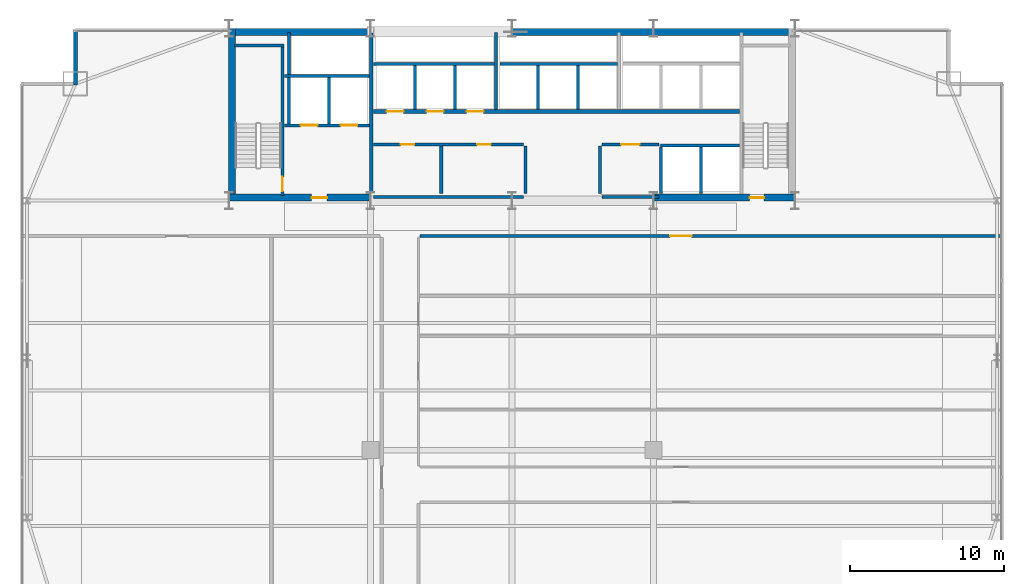
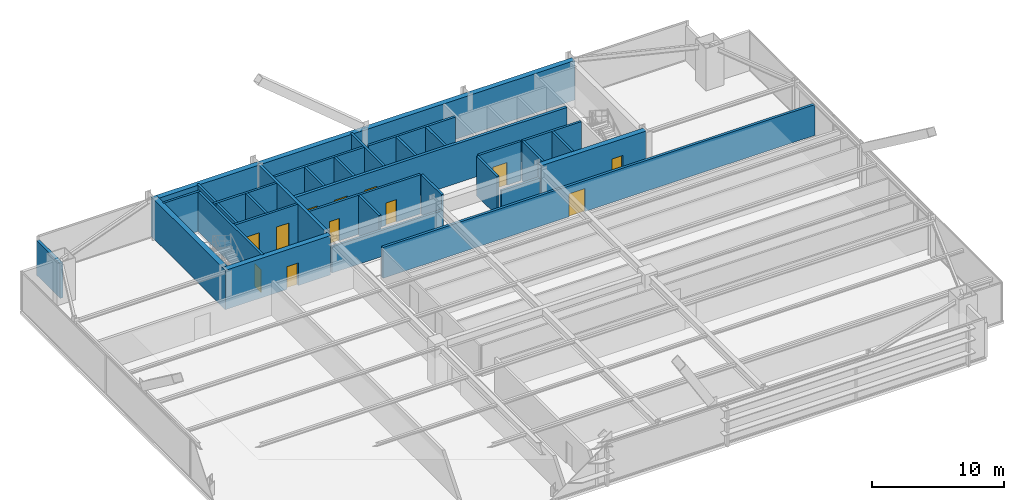
# One storey, part 32 of 35: 31 walls, 12 doors, 12 openings.
"""IFC4 building model written with IfcOpenShell, lengths in metres."""

from ifc_helpers import new_model, si_unit, direction, frame, frame_2d, origin, place, context, subcontext, project, spatial, rectangle, extrude, source, transform, mapped, material, layer, layer_set, type_object, type_shapes, element, fill, save


model = new_model("IFC4")

# Units and contexts
model_context = context("Model", 3, precision=1e-05, world=origin(), true_north=direction((0.0, 1.0)))
body_context = subcontext(model_context, "Body", "Model", "MODEL_VIEW")
ifc_project = project(units=[si_unit("LENGTHUNIT", "METRE"), si_unit("AREAUNIT", "SQUARE_METRE"), si_unit("VOLUMEUNIT", "CUBIC_METRE"), si_unit("PLANEANGLEUNIT", "RADIAN"), si_unit("MASSUNIT", "GRAM", prefix="KILO")], contexts=[model_context])

# Site, building, storey
site_placement = place(None, origin())
site = spatial("IfcSite", under=ifc_project, at=site_placement, CompositionType="ELEMENT")
building_placement = place(site_placement, origin())
building = spatial("IfcBuilding", under=site, at=building_placement, Name="Varnel Quay Broadcast Tower", CompositionType="ELEMENT")
storey_placement = place(building_placement, frame((0.0, 0.0, 31.5)))
storey = spatial("IfcBuildingStorey", under=building, at=storey_placement, Name="L06", CompositionType="ELEMENT", Elevation=31.5)

# Wall, opening, door
ifc_material_1 = material(Name="Concrete CSA A23.3 C50/60", Category="concrete")
ifc_layer_1 = layer(ifc_material_1, 0.199951171875, Name="Concrete CSA A23.3 C50/60")
ifc_layer_set_1 = layer_set([ifc_layer_1], Name="Concrete CSA A23.3 C50/60")
wall_type_1 = type_object("IfcWallType", Name="Wall_CoreShaftShear200", PredefinedType="SHEAR", material=ifc_layer_set_1)
wall_1_placement = place(storey_placement, frame((19.080078125, 35.949951171875, 0.0), z_axis=(0.0, 0.0, 1.0), x_axis=(0.0, 1.0, 0.0)))
wall_1 = element("IfcWall", 1, at=wall_1_placement, inside=storey, type_object=wall_type_1, Name="L06 Stair 1 East Structural Wall", PredefinedType="SHEAR", context=body_context, shape_type="SweptSolid", body=[
    extrude(rectangle(XDim=9.650146484375, YDim=0.199951171875, at=frame_2d((4.8251953125, 0.0))), origin(), (0.0, 0.0, 1.0), 3.64990234375),
])
opening_1_placement = place(wall_1_placement, frame((0.25, 0.0, 0.0)))
opening_1 = element("IfcOpeningElement", 2, at=opening_1_placement, cuts=wall_1, Name="Opening D-L06-S1", PredefinedType="OPENING", context=body_context, shape_type="SweptSolid", body=[
    extrude(rectangle(XDim=0.949951171875, YDim=2.10009765625, at=frame_2d((0.47509765625, 1.050048828125))), frame((0.0, 0.10986328125, 0.0), z_axis=(0.0, -1.0, 0.0), x_axis=(1.0, 0.0, 0.0)), (0.0, 0.0, 1.0), 0.219970703125),
])
ifc_material_2 = material(Name="Insulated Fire-Rated Hollow Steel Door", Category="steel")
door_type_1 = type_object("IfcDoorType", Name="Door_FireStair950", OperationType="NOTDEFINED", PredefinedType="DOOR", material=ifc_material_2)
shared_shape_1 = source(origin(), body_context, "Body", "SweptSolid", [
    extrude(rectangle(XDim=0.949951171875, YDim=2.10009765625, at=frame_2d((0.47509765625, 1.050048828125))), frame((0.0, 0.02490234375, 0.0), z_axis=(0.0, -1.0, 0.0), x_axis=(1.0, 0.0, 0.0)), (0.0, 0.0, 1.0), 0.050048828125),
])
type_shapes(door_type_1, [shared_shape_1])
door_1_placement = place(opening_1_placement, origin())
door_1 = element("IfcDoor", 3, at=door_1_placement, inside=storey, type_object=door_type_1, Name="L06 Stair 1 Fire Door", OperationType="SINGLE_SWING_RIGHT", OverallHeight=2.10009765625, OverallWidth=0.949951171875, PredefinedType="DOOR", context=body_context, shape_type="MappedRepresentation", body=[
    mapped(shared_shape_1, transform((0.0, 0.0, 0.0), x_axis=(1.0, 0.0, 0.0), y_axis=(0.0, 1.0, 0.0), z_axis=(0.0, 0.0, 1.0), scale=1.0)),
])
fill(opening_1, door_1)

# Wall
wall_2_placement = place(storey_placement, frame((15.949951171875, 45.679931640625, 0.0), z_axis=(0.0, 0.0, 1.0), x_axis=(1.0, 0.0, 0.0)))
element("IfcWall", 4, at=wall_2_placement, inside=storey, type_object=wall_type_1, Name="L06 Stair 1 North Structural Wall", PredefinedType="SHEAR", context=body_context, shape_type="SweptSolid", body=[
    extrude(rectangle(XDim=3.22998046875, YDim=0.199951171875, at=frame_2d((1.614990234375, 0.0))), origin(), (0.0, 0.0, 1.0), 3.64990234375),
])

# Wall, openings, doors
wall_3_placement = place(storey_placement, frame((19.199951171875, 40.5, 0.0), z_axis=(0.0, 0.0, 1.0), x_axis=(1.0, 0.0, 0.0)))
wall_3 = element("IfcWall", 5, at=wall_3_placement, inside=storey, type_object=wall_type_1, Name="L06 Firefighter Lift Shaft Front Wall", PredefinedType="SHEAR", context=body_context, shape_type="SweptSolid", body=[
    extrude(rectangle(XDim=5.52001953125, YDim=0.199951171875, at=frame_2d((2.760009765625, 0.0))), origin(), (0.0, 0.0, 1.0), 3.64990234375),
])
opening_2_placement = place(wall_3_placement, frame((1.050048828125, 0.0, 0.0)))
opening_2 = element("IfcOpeningElement", 6, at=opening_2_placement, cuts=wall_3, Name="Opening LD-L06-FE1", PredefinedType="OPENING", context=body_context, shape_type="SweptSolid", body=[
    extrude(rectangle(XDim=1.10009765625, YDim=2.179931640625, at=frame_2d((0.550048828125, 1.08984375))), frame((0.0, 0.10986328125, 0.0), z_axis=(0.0, -1.0, 0.0), x_axis=(1.0, 0.0, 0.0)), (0.0, 0.0, 1.0), 0.219970703125),
])
opening_3_placement = place(wall_3_placement, frame((3.64990234375, 0.0, 0.0)))
opening_3 = element("IfcOpeningElement", 7, at=opening_3_placement, cuts=wall_3, Name="Opening LD-L06-FE2", PredefinedType="OPENING", context=body_context, shape_type="SweptSolid", body=[
    extrude(rectangle(XDim=1.10009765625, YDim=2.179931640625, at=frame_2d((0.550048828125, 1.08984375))), frame((0.0, 0.10986328125, 0.0), z_axis=(0.0, -1.0, 0.0), x_axis=(1.0, 0.0, 0.0)), (0.0, 0.0, 1.0), 0.219970703125),
])
ifc_material_3 = material(Name="Brushed Bronze-Stainless Lift Car & Sliding Doors", Category="steel")
door_type_2 = type_object("IfcDoorType", Name="Door_LiftLanding1100", OperationType="SLIDING_TO_LEFT", PredefinedType="DOOR", material=ifc_material_3)
shared_shape_2 = source(origin(), body_context, "Body", "SweptSolid", [
    extrude(rectangle(XDim=1.10009765625, YDim=2.179931640625, at=frame_2d((0.550048828125, 1.08984375))), frame((0.0, 0.02490234375, 0.0), z_axis=(0.0, -1.0, 0.0), x_axis=(1.0, 0.0, 0.0)), (0.0, 0.0, 1.0), 0.050048828125),
])
type_shapes(door_type_2, [shared_shape_2])
door_2_placement = place(opening_2_placement, frame((1.10009765625, 0.0, 0.0), z_axis=(0.0, 0.0, 1.0), x_axis=(-1.0, 0.0, 0.0)))
door_2 = element("IfcDoor", 8, at=door_2_placement, inside=storey, type_object=door_type_2, Name="L06 Firefighter Lift FE-01 Landing Door", OperationType="SLIDING_TO_LEFT", OverallHeight=2.179931640625, OverallWidth=1.10009765625, PredefinedType="DOOR", context=body_context, shape_type="MappedRepresentation", body=[
    mapped(shared_shape_2, transform((0.0, 0.0, 0.0), x_axis=(1.0, 0.0, 0.0), y_axis=(0.0, 1.0, 0.0), z_axis=(0.0, 0.0, 1.0), scale=1.0)),
])
fill(opening_2, door_2)
door_3_placement = place(opening_3_placement, frame((1.10009765625, 0.0, 0.0), z_axis=(0.0, 0.0, 1.0), x_axis=(-1.0, 0.0, 0.0)))
door_3 = element("IfcDoor", 9, at=door_3_placement, inside=storey, type_object=door_type_2, Name="L06 Firefighter Lift FE-02 Landing Door", OperationType="SLIDING_TO_RIGHT", OverallHeight=2.179931640625, OverallWidth=1.10009765625, PredefinedType="DOOR", context=body_context, shape_type="MappedRepresentation", body=[
    mapped(shared_shape_2, transform((0.0, 0.0, 0.0), x_axis=(1.0, 0.0, 0.0), y_axis=(0.0, 1.0, 0.0), z_axis=(0.0, 0.0, 1.0), scale=1.0)),
])
fill(opening_3, door_3)

# Walls
wall_4_placement = place(storey_placement, frame((19.199951171875, 43.699951171875, 0.0), z_axis=(0.0, 0.0, 1.0), x_axis=(1.0, 0.0, 0.0)))
element("IfcWall", 10, at=wall_4_placement, inside=storey, type_object=wall_type_1, Name="L06 Firefighter Lift Shaft Rear Wall", PredefinedType="SHEAR", context=body_context, shape_type="SweptSolid", body=[
    extrude(rectangle(XDim=5.52001953125, YDim=0.199951171875, at=frame_2d((2.760009765625, 0.0))), origin(), (0.0, 0.0, 1.0), 3.64990234375),
])
wall_5_placement = place(storey_placement, frame((22.10009765625, 40.60009765625, 0.0), z_axis=(0.0, 0.0, 1.0), x_axis=(0.0, 1.0, 0.0)))
element("IfcWall", 11, at=wall_5_placement, inside=storey, type_object=wall_type_1, Name="L06 Firefighter Lift Shaft Divider", PredefinedType="SHEAR", context=body_context, shape_type="SweptSolid", body=[
    extrude(rectangle(XDim=3.0, YDim=0.199951171875, at=frame_2d((1.5, 0.0))), origin(), (0.0, 0.0, 1.0), 3.64990234375),
])
wall_6_placement = place(storey_placement, frame((19.5, 40.60009765625, 0.0), z_axis=(0.0, 0.0, 1.0), x_axis=(0.0, 1.0, 0.0)))
element("IfcWall", 12, at=wall_6_placement, inside=storey, type_object=wall_type_1, Name="L06 Firefighter Lift Shaft West Wall", PredefinedType="SHEAR", context=body_context, shape_type="SweptSolid", body=[
    extrude(rectangle(XDim=5.949951171875, YDim=0.199951171875, at=frame_2d((2.97509765625, 0.0))), origin(), (0.0, 0.0, 1.0), 3.64990234375),
])
wall_7_placement = place(storey_placement, frame((24.97998046875, 44.5, 0.0), z_axis=(0.0, 0.0, 1.0), x_axis=(1.0, 0.0, 0.0)))
element("IfcWall", 13, at=wall_7_placement, inside=storey, type_object=wall_type_1, Name="L06 Low-Rise Lift Shaft Rear Wall", PredefinedType="SHEAR", context=body_context, shape_type="SweptSolid", body=[
    extrude(rectangle(XDim=7.8701171875, YDim=0.199951171875, at=frame_2d((3.93505859375, 0.0))), origin(), (0.0, 0.0, 1.0), 3.64990234375),
])
for number, where, z_axis, x_axis, name in (
    (14, (27.699951171875, 41.530029296875, 0.0), (0.0, 0.0, 1.0), (0.0, 1.0, 0.0), "L06 Low-Rise Lift Shaft Divider 1"),
    (15, (30.300048828125, 41.530029296875, 0.0), (0.0, 0.0, 1.0), (0.0, 1.0, 0.0), "L06 Low-Rise Lift Shaft Divider 2"),
):
    element("IfcWall", number, at=place(storey_placement, frame(where, z_axis=z_axis, x_axis=x_axis)), inside=storey, type_object=wall_type_1, Name=name, PredefinedType="SHEAR", context=body_context, shape_type="SweptSolid", body=[
        extrude(rectangle(XDim=2.869873046875, YDim=0.199951171875, at=frame_2d((1.43505859375, 0.0))), origin(), (0.0, 0.0, 1.0), 3.64990234375),
    ])
wall_8_placement = place(storey_placement, frame((32.949951171875, 41.530029296875, 0.0), z_axis=(0.0, 0.0, 1.0), x_axis=(0.0, 1.0, 0.0)))
element("IfcWall", 16, at=wall_8_placement, inside=storey, type_object=wall_type_1, Name="L06 Low-Rise Lift Shaft Divider 3", PredefinedType="SHEAR", context=body_context, shape_type="SweptSolid", body=[
    extrude(rectangle(XDim=5.02001953125, YDim=0.199951171875, at=frame_2d((2.510009765625, 0.0))), origin(), (0.0, 0.0, 1.0), 3.64990234375),
])
wall_9_placement = place(storey_placement, frame((33.219970703125, 44.5, 0.0), z_axis=(0.0, 0.0, 1.0), x_axis=(1.0, 0.0, 0.0)))
element("IfcWall", 17, at=wall_9_placement, inside=storey, type_object=wall_type_1, Name="L06 Mid-Rise Lift Shaft Rear Wall", PredefinedType="SHEAR", context=body_context, shape_type="SweptSolid", body=[
    extrude(rectangle(XDim=7.630126953125, YDim=0.199951171875, at=frame_2d((3.81494140625, 0.0))), origin(), (0.0, 0.0, 1.0), 3.64990234375),
])
for number, where, z_axis, x_axis, name in (
    (18, (35.699951171875, 41.530029296875, 0.0), (0.0, 0.0, 1.0), (0.0, 1.0, 0.0), "L06 Mid-Rise Lift Shaft Divider 2"),
    (19, (38.300048828125, 41.530029296875, 0.0), (0.0, 0.0, 1.0), (0.0, 1.0, 0.0), "L06 Mid-Rise Lift Shaft Divider 3"),
):
    element("IfcWall", number, at=place(storey_placement, frame(where, z_axis=z_axis, x_axis=x_axis)), inside=storey, type_object=wall_type_1, Name=name, PredefinedType="SHEAR", context=body_context, shape_type="SweptSolid", body=[
        extrude(rectangle(XDim=2.869873046875, YDim=0.199951171875, at=frame_2d((1.43505859375, 0.0))), origin(), (0.0, 0.0, 1.0), 3.64990234375),
    ])
for number, where, z_axis, x_axis, name in (
    (20, (43.699951171875, 36.050048828125, 0.0), (0.0, 0.0, 1.0), (0.0, 1.0, 0.0), "L06 Express Lift Shaft West Wall"),
    (21, (46.300048828125, 36.050048828125, 0.0), (0.0, 0.0, 1.0), (0.0, 1.0, 0.0), "L06 Express Lift Shaft Divider"),
):
    element("IfcWall", number, at=place(storey_placement, frame(where, z_axis=z_axis, x_axis=x_axis)), inside=storey, type_object=wall_type_1, Name=name, PredefinedType="SHEAR", context=body_context, shape_type="SweptSolid", body=[
        extrude(rectangle(XDim=3.050048828125, YDim=0.199951171875, at=frame_2d((1.52490234375, 0.0))), origin(), (0.0, 0.0, 1.0), 3.64990234375),
    ])
wall_10_placement = place(storey_placement, frame((43.64990234375, 39.199951171875, 0.0), z_axis=(0.0, 0.0, 1.0), x_axis=(1.0, 0.0, 0.0)))
element("IfcWall", 22, at=wall_10_placement, inside=storey, type_object=wall_type_1, Name="L06 Express Lift Shaft North Front Wall", PredefinedType="SHEAR", context=body_context, shape_type="SweptSolid", body=[
    extrude(rectangle(XDim=5.150146484375, YDim=0.199951171875, at=frame_2d((2.5751953125, 0.0))), origin(), (0.0, 0.0, 1.0), 3.64990234375),
])
ifc_layer_2 = layer(ifc_material_1, 0.25, Name="Concrete CSA A23.3 C50/60")
ifc_layer_set_2 = layer_set([ifc_layer_2], Name="Concrete CSA A23.3 C50/60")
wall_type_2 = type_object("IfcWallType", Name="Wall_CoreShaftShear250", PredefinedType="SHEAR", material=ifc_layer_set_2)
wall_11_placement = place(storey_placement, frame((24.85009765625, 36.050048828125, 0.0), z_axis=(0.0, 0.0, 1.0), x_axis=(0.0, 1.0, 0.0)))
element("IfcWall", 23, at=wall_11_placement, inside=storey, type_object=wall_type_2, Name="L06 Firefighting Lobby East Structural Wall", PredefinedType="SHEAR", context=body_context, shape_type="SweptSolid", body=[
    extrude(rectangle(XDim=10.449951171875, YDim=0.25, at=frame_2d((5.22509765625, 0.0))), origin(), (0.0, 0.0, 1.0), 3.64990234375),
])

# Wall, openings, doors
wall_12_placement = place(storey_placement, frame((24.97998046875, 41.39990234375, 0.0), z_axis=(0.0, 0.0, 1.0), x_axis=(1.0, 0.0, 0.0)))
wall_12 = element("IfcWall", 24, at=wall_12_placement, inside=storey, type_object=wall_type_2, Name="L06 North Lift Bank & Reclaimed Suite Wall", PredefinedType="SHEAR", context=body_context, shape_type="SweptSolid", body=[
    extrude(rectangle(XDim=23.820068359375, YDim=0.25, at=frame_2d((11.91015625, 0.0))), origin(), (0.0, 0.0, 1.0), 3.64990234375),
])
opening_4_placement = place(wall_12_placement, frame((0.8701171875, 0.0, 0.0)))
opening_4 = element("IfcOpeningElement", 25, at=opening_4_placement, cuts=wall_12, Name="Opening LD-L06-PL-01", PredefinedType="OPENING", context=body_context, shape_type="SweptSolid", body=[
    extrude(rectangle(XDim=1.10009765625, YDim=2.179931640625, at=frame_2d((0.550048828125, 1.08984375))), frame((0.0, 0.135009765625, 0.0), z_axis=(0.0, -1.0, 0.0), x_axis=(1.0, 0.0, 0.0)), (0.0, 0.0, 1.0), 0.27001953125),
])
opening_5_placement = place(wall_12_placement, frame((3.469970703125, 0.0, 0.0)))
opening_5 = element("IfcOpeningElement", 26, at=opening_5_placement, cuts=wall_12, Name="Opening LD-L06-PL-02", PredefinedType="OPENING", context=body_context, shape_type="SweptSolid", body=[
    extrude(rectangle(XDim=1.10009765625, YDim=2.179931640625, at=frame_2d((0.550048828125, 1.08984375))), frame((0.0, 0.135009765625, 0.0), z_axis=(0.0, -1.0, 0.0), x_axis=(1.0, 0.0, 0.0)), (0.0, 0.0, 1.0), 0.27001953125),
])
opening_6_placement = place(wall_12_placement, frame((6.070068359375, 0.0, 0.0)))
opening_6 = element("IfcOpeningElement", 27, at=opening_6_placement, cuts=wall_12, Name="Opening LD-L06-PL-03", PredefinedType="OPENING", context=body_context, shape_type="SweptSolid", body=[
    extrude(rectangle(XDim=1.10009765625, YDim=2.179931640625, at=frame_2d((0.550048828125, 1.08984375))), frame((0.0, 0.135009765625, 0.0), z_axis=(0.0, -1.0, 0.0), x_axis=(1.0, 0.0, 0.0)), (0.0, 0.0, 1.0), 0.27001953125),
])
door_4_placement = place(opening_4_placement, frame((1.10009765625, 0.0, 0.0), z_axis=(0.0, 0.0, 1.0), x_axis=(-1.0, 0.0, 0.0)))
door_4 = element("IfcDoor", 28, at=door_4_placement, inside=storey, type_object=door_type_2, Name="L06 Lift PL-01 Landing Door", OperationType="SLIDING_TO_LEFT", OverallHeight=2.179931640625, OverallWidth=1.10009765625, PredefinedType="DOOR", context=body_context, shape_type="MappedRepresentation", body=[
    mapped(shared_shape_2, transform((0.0, 0.0, 0.0), x_axis=(1.0, 0.0, 0.0), y_axis=(0.0, 1.0, 0.0), z_axis=(0.0, 0.0, 1.0), scale=1.0)),
])
fill(opening_4, door_4)
door_5_placement = place(opening_5_placement, frame((1.10009765625, 0.0, 0.0), z_axis=(0.0, 0.0, 1.0), x_axis=(-1.0, 0.0, 0.0)))
door_5 = element("IfcDoor", 29, at=door_5_placement, inside=storey, type_object=door_type_2, Name="L06 Lift PL-02 Landing Door", OperationType="SLIDING_TO_LEFT", OverallHeight=2.179931640625, OverallWidth=1.10009765625, PredefinedType="DOOR", context=body_context, shape_type="MappedRepresentation", body=[
    mapped(shared_shape_2, transform((0.0, 0.0, 0.0), x_axis=(1.0, 0.0, 0.0), y_axis=(0.0, 1.0, 0.0), z_axis=(0.0, 0.0, 1.0), scale=1.0)),
])
fill(opening_5, door_5)
door_6_placement = place(opening_6_placement, frame((1.10009765625, 0.0, 0.0), z_axis=(0.0, 0.0, 1.0), x_axis=(-1.0, 0.0, 0.0)))
door_6 = element("IfcDoor", 30, at=door_6_placement, inside=storey, type_object=door_type_2, Name="L06 Lift PL-03 Landing Door", OperationType="SLIDING_TO_LEFT", OverallHeight=2.179931640625, OverallWidth=1.10009765625, PredefinedType="DOOR", context=body_context, shape_type="MappedRepresentation", body=[
    mapped(shared_shape_2, transform((0.0, 0.0, 0.0), x_axis=(1.0, 0.0, 0.0), y_axis=(0.0, 1.0, 0.0), z_axis=(0.0, 0.0, 1.0), scale=1.0)),
])
fill(opening_6, door_6)

# Walls
ifc_material_4 = material(Name="Concrete CSA A23.3 C60/75", Category="concrete")
ifc_layer_3 = layer(ifc_material_4, 0.449951171875, Name="Concrete CSA A23.3 C60/75")
ifc_layer_set_3 = layer_set([ifc_layer_3], Name="Concrete CSA A23.3 C60/75")
wall_type_3 = type_object("IfcWallType", Name="Wall_CoreShearExt450", PredefinedType="SHEAR", material=ifc_layer_set_3)
wall_13_placement = place(storey_placement, frame((15.60009765625, 46.574951171875, 0.0), z_axis=(0.0, 0.0, 1.0), x_axis=(1.0, 0.0, 0.0)))
element("IfcWall", 31, at=wall_13_placement, inside=storey, type_object=wall_type_3, Name="L06 North Core Shear Wall", PredefinedType="SHEAR", context=body_context, shape_type="SweptSolid", body=[
    extrude(rectangle(XDim=36.7998046875, YDim=0.449951171875, at=frame_2d((18.39990234375, 0.0))), origin(), (0.0, 0.0, 1.0), 3.64990234375),
])
ifc_layer_4 = layer(ifc_material_4, 0.449951171875, Name="Concrete CSA A23.3 C60/75")
ifc_layer_set_4 = layer_set([ifc_layer_4], Name="Concrete CSA A23.3 C60/75")
wall_type_4 = type_object("IfcWallType", Name="Wall_CoreShearInt450", PredefinedType="SHEAR", material=ifc_layer_set_4)
wall_14_placement = place(storey_placement, frame((15.794921875, 35.570068359375, 0.0), z_axis=(0.0, 0.0, 1.0), x_axis=(0.0, 1.0, 0.0)))
element("IfcWall", 32, at=wall_14_placement, inside=storey, type_object=wall_type_4, Name="L06 West Core Shear Wall", PredefinedType="SHEAR", context=body_context, shape_type="SweptSolid", body=[
    extrude(rectangle(XDim=11.22998046875, YDim=0.449951171875, at=frame_2d((5.614990234375, 0.0))), origin(), (0.0, 0.0, 1.0), 3.64990234375),
])

# Wall, opening, door
wall_15_placement = place(storey_placement, frame((15.570068359375, 35.794921875, 0.0), z_axis=(0.0, 0.0, 1.0), x_axis=(1.0, 0.0, 0.0)))
wall_15 = element("IfcWall", 33, at=wall_15_placement, inside=storey, type_object=wall_type_4, Name="L06 South-West Core Shear Wall", PredefinedType="SHEAR", context=body_context, shape_type="SweptSolid", body=[
    extrude(rectangle(XDim=9.22998046875, YDim=0.449951171875, at=frame_2d((4.614990234375, 0.0))), origin(), (0.0, 0.0, 1.0), 3.64990234375),
])
opening_7_placement = place(wall_15_placement, frame((5.39990234375, 0.0, 0.0)))
opening_7 = element("IfcOpeningElement", 34, at=opening_7_placement, cuts=wall_15, Name="Opening D-L06-FFL", PredefinedType="OPENING", context=body_context, shape_type="SweptSolid", body=[
    extrude(rectangle(XDim=1.0, YDim=2.10009765625, at=frame_2d((0.5, 1.050048828125))), frame((0.0, 0.23486328125, 0.0), z_axis=(0.0, -1.0, 0.0), x_axis=(1.0, 0.0, 0.0)), (0.0, 0.0, 1.0), 0.469970703125),
])
door_type_3 = type_object("IfcDoorType", Name="Door_FireLobby1000", OperationType="NOTDEFINED", PredefinedType="DOOR", material=ifc_material_2)
shared_shape_3 = source(origin(), body_context, "Body", "SweptSolid", [
    extrude(rectangle(XDim=1.0, YDim=2.10009765625, at=frame_2d((0.5, 1.050048828125))), frame((0.0, 0.02490234375, 0.0), z_axis=(0.0, -1.0, 0.0), x_axis=(1.0, 0.0, 0.0)), (0.0, 0.0, 1.0), 0.050048828125),
])
type_shapes(door_type_3, [shared_shape_3])
door_7_placement = place(opening_7_placement, origin())
door_7 = element("IfcDoor", 35, at=door_7_placement, inside=storey, type_object=door_type_3, Name="L06 Firefighting Lobby Door", OperationType="SINGLE_SWING_LEFT", OverallHeight=2.10009765625, OverallWidth=1.0, PredefinedType="DOOR", context=body_context, shape_type="MappedRepresentation", body=[
    mapped(shared_shape_3, transform((0.0, 0.0, 0.0), x_axis=(1.0, 0.0, 0.0), y_axis=(0.0, 1.0, 0.0), z_axis=(0.0, 0.0, 1.0), scale=1.0)),
])
fill(opening_7, door_7)

wall_16_placement = place(storey_placement, frame((43.199951171875, 35.794921875, 0.0), z_axis=(0.0, 0.0, 1.0), x_axis=(1.0, 0.0, 0.0)))
wall_16 = element("IfcWall", 36, at=wall_16_placement, inside=storey, type_object=wall_type_4, Name="L06 South-East Core Shear Wall", PredefinedType="SHEAR", context=body_context, shape_type="SweptSolid", body=[
    extrude(rectangle(XDim=9.22998046875, YDim=0.449951171875, at=frame_2d((4.614990234375, 0.0))), origin(), (0.0, 0.0, 1.0), 3.64990234375),
])
opening_8_placement = place(wall_16_placement, frame((6.25, 0.0, 0.0)))
opening_8 = element("IfcOpeningElement", 37, at=opening_8_placement, cuts=wall_16, Name="Opening D-L06-S2", PredefinedType="OPENING", context=body_context, shape_type="SweptSolid", body=[
    extrude(rectangle(XDim=0.949951171875, YDim=2.10009765625, at=frame_2d((0.47509765625, 1.050048828125))), frame((0.0, 0.23486328125, 0.0), z_axis=(0.0, -1.0, 0.0), x_axis=(1.0, 0.0, 0.0)), (0.0, 0.0, 1.0), 0.469970703125),
])
door_8_placement = place(opening_8_placement, origin())
door_8 = element("IfcDoor", 38, at=door_8_placement, inside=storey, type_object=door_type_1, Name="L06 Stair 2 Fire Door", OperationType="SINGLE_SWING_RIGHT", OverallHeight=2.10009765625, OverallWidth=0.949951171875, PredefinedType="DOOR", context=body_context, shape_type="MappedRepresentation", body=[
    mapped(shared_shape_1, transform((0.0, 0.0, 0.0), x_axis=(1.0, 0.0, 0.0), y_axis=(0.0, 1.0, 0.0), z_axis=(0.0, 0.0, 1.0), scale=1.0)),
])
fill(opening_8, door_8)

# Walls
ifc_material_5 = material(Name="Precast Architectural Concrete C40/50", Category="concrete")
ifc_layer_5 = layer(ifc_material_5, 0.25, Name="Precast Architectural Concrete C40/50")
ifc_layer_set_5 = layer_set([ifc_layer_5], Name="Precast Architectural Concrete C40/50")
wall_type_5 = type_object("IfcWallType", Name="Wall_ExtTerrace250", PredefinedType="SOLIDWALL", material=ifc_layer_set_5)
wall_17_placement = place(storey_placement, frame((5.60009765625, 43.1201171875, 0.0), z_axis=(0.0, 0.0, 1.0), x_axis=(0.0, 1.0, 0.0)))
element("IfcWall", 39, at=wall_17_placement, inside=storey, type_object=wall_type_5, Name="L06 Mega-Column Notch Cladding Wall NNW2", PredefinedType="SOLIDWALL", context=body_context, shape_type="SweptSolid", body=[
    extrude(rectangle(XDim=3.599853515625, YDim=0.25, at=frame_2d((1.7998046875, 0.0))), origin(), (0.0, 0.0, 1.0), 3.2080078125),
])
ifc_material_6 = material(Name="Concrete Blockwork Fire Enclosure C40/50", Category="masonry")
ifc_layer_6 = layer(ifc_material_6, 0.199951171875, Name="Concrete Blockwork Fire Enclosure C40/50")
ifc_layer_set_6 = layer_set([ifc_layer_6], Name="Concrete Blockwork Fire Enclosure C40/50")
wall_type_6 = type_object("IfcWallType", Name="Wall_FireShaft200", PredefinedType="SOLIDWALL", material=ifc_layer_set_6)
wall_18_placement = place(storey_placement, frame((39.85009765625, 35.824951171875, 0.0), z_axis=(0.0, 0.0, 1.0), x_axis=(1.0, 0.0, 0.0)))
element("IfcWall", 40, at=wall_18_placement, inside=storey, type_object=wall_type_6, Name="L06 Electrical Sub-Distribution Closet Partition 5", PredefinedType="SOLIDWALL", context=body_context, shape_type="SweptSolid", body=[
    extrude(rectangle(XDim=3.699951171875, YDim=0.199951171875, at=frame_2d((1.85009765625, 0.0))), origin(), (0.0, 0.0, 1.0), 2.425048828125),
])

# Wall, opening, door
wall_19_placement = place(storey_placement, frame((39.85009765625, 39.25, 0.0), z_axis=(0.0, 0.0, 1.0), x_axis=(1.0, 0.0, 0.0)))
wall_19 = element("IfcWall", 41, at=wall_19_placement, inside=storey, type_object=wall_type_6, Name="L06 Electrical Sub-Distribution Closet Partition 6", PredefinedType="SOLIDWALL", context=body_context, shape_type="SweptSolid", body=[
    extrude(rectangle(XDim=3.699951171875, YDim=0.199951171875, at=frame_2d((1.85009765625, 0.0))), origin(), (0.0, 0.0, 1.0), 3.6298828125),
])
opening_9_placement = place(wall_19_placement, frame((1.25, 0.0, 0.0)))
opening_9 = element("IfcOpeningElement", 42, at=opening_9_placement, cuts=wall_19, Name="Opening D-L06-03", PredefinedType="OPENING", context=body_context, shape_type="SweptSolid", body=[
    extrude(rectangle(XDim=1.199951171875, YDim=2.10009765625, at=frame_2d((0.60009765625, 1.050048828125))), frame((0.0, 0.10986328125, 0.0), z_axis=(0.0, -1.0, 0.0), x_axis=(1.0, 0.0, 0.0)), (0.0, 0.0, 1.0), 0.219970703125),
])
door_type_4 = type_object("IfcDoorType", Name="Door_Plant1200", OperationType="NOTDEFINED", PredefinedType="DOOR", material=ifc_material_2)
shared_shape_4 = source(origin(), body_context, "Body", "SweptSolid", [
    extrude(rectangle(XDim=1.199951171875, YDim=2.10009765625, at=frame_2d((0.60009765625, 1.050048828125))), frame((0.0, 0.02490234375, 0.0), z_axis=(0.0, -1.0, 0.0), x_axis=(1.0, 0.0, 0.0)), (0.0, 0.0, 1.0), 0.050048828125),
])
type_shapes(door_type_4, [shared_shape_4])
door_9_placement = place(opening_9_placement, origin())
door_9 = element("IfcDoor", 43, at=door_9_placement, inside=storey, type_object=door_type_4, Name="L06 Electrical Sub-Distribution Closet Door D-L06-03", OperationType="SINGLE_SWING_LEFT", OverallHeight=2.10009765625, OverallWidth=1.199951171875, PredefinedType="DOOR", context=body_context, shape_type="MappedRepresentation", body=[
    mapped(shared_shape_4, transform((0.0, 0.0, 0.0), x_axis=(1.0, 0.0, 0.0), y_axis=(0.0, 1.0, 0.0), z_axis=(0.0, 0.0, 1.0), scale=1.0)),
])
fill(opening_9, door_9)

# Wall
wall_20_placement = place(storey_placement, frame((39.72509765625, 36.050048828125, 0.0), z_axis=(0.0, 0.0, 1.0), x_axis=(0.0, 1.0, 0.0)))
element("IfcWall", 44, at=wall_20_placement, inside=storey, type_object=wall_type_6, Name="L06 Electrical Sub-Distribution Closet Partition 7", PredefinedType="SOLIDWALL", context=body_context, shape_type="SweptSolid", body=[
    extrude(rectangle(XDim=3.099853515625, YDim=0.199951171875, at=frame_2d((1.5498046875, 0.0))), origin(), (0.0, 0.0, 1.0), 3.6298828125),
])

# Wall, opening, door
ifc_material_7 = material(Name="Steel-Stud Fire-Rated Acoustic Gypsum Partition Assembly", Category="steel")
ifc_layer_7 = layer(ifc_material_7, 0.22509765625, Name="Steel-Stud Fire-Rated Acoustic Gypsum Partition Assembly")
ifc_layer_set_7 = layer_set([ifc_layer_7], Name="Steel-Stud Fire-Rated Acoustic Gypsum Partition Assembly")
wall_type_7 = type_object("IfcWallType", Name="Wall_Partition225", PredefinedType="PARTITIONING", material=ifc_layer_set_7)
wall_21_placement = place(storey_placement, frame((28.02001953125, 33.300048828125, 0.0), z_axis=(0.0, 0.0, 1.0), x_axis=(1.0, 0.0, 0.0)))
wall_21 = element("IfcWall", 45, at=wall_21_placement, inside=storey, type_object=wall_type_7, Name="L06 Foley Sound Studio 8 Partition 19", PredefinedType="PARTITIONING", context=body_context, shape_type="SweptSolid", body=[
    extrude(rectangle(XDim=37.800048828125, YDim=0.22509765625, at=frame_2d((18.89990234375, 0.0))), origin(), (0.0, 0.0, 1.0), 2.85205078125),
])
opening_10_placement = place(wall_21_placement, frame((16.264892578125, 0.0, 0.0)))
opening_10 = element("IfcOpeningElement", 46, at=opening_10_placement, cuts=wall_21, Name="Opening D-L06-11", PredefinedType="OPENING", context=body_context, shape_type="SweptSolid", body=[
    extrude(rectangle(XDim=1.39990234375, YDim=2.1201171875, at=frame_2d((0.699951171875, 1.06005859375))), frame((0.0, 0.12255859375, 0.0), z_axis=(0.0, -1.0, 0.0), x_axis=(1.0, 0.0, 0.0)), (0.0, 0.0, 1.0), 0.2451171875),
])
ifc_material_8 = material(Name="Solid-Core Fire-Rated Acoustic Oak Veneer Door", Category="wood")
door_type_5 = type_object("IfcDoorType", Name="Door_Gallery1400", OperationType="DOUBLE_DOOR_SINGLE_SWING", PredefinedType="DOOR", material=ifc_material_8)
shared_shape_5 = source(origin(), body_context, "Body", "SweptSolid", [
    extrude(rectangle(XDim=1.39990234375, YDim=2.1201171875, at=frame_2d((0.699951171875, 1.06005859375))), frame((0.0, 0.02490234375, 0.0), z_axis=(0.0, -1.0, 0.0), x_axis=(1.0, 0.0, 0.0)), (0.0, 0.0, 1.0), 0.050048828125),
])
type_shapes(door_type_5, [shared_shape_5])
door_10_placement = place(opening_10_placement, frame((1.39990234375, 0.0, 0.0), z_axis=(0.0, 0.0, 1.0), x_axis=(-1.0, 0.0, 0.0)))
door_10 = element("IfcDoor", 47, at=door_10_placement, inside=storey, type_object=door_type_5, Name="L06 Foley Sound Studio 8 Door D-L06-11", OperationType="DOUBLE_DOOR_SINGLE_SWING", OverallHeight=2.1201171875, OverallWidth=1.39990234375, PredefinedType="DOOR", context=body_context, shape_type="MappedRepresentation", body=[
    mapped(shared_shape_5, transform((0.0, 0.0, 0.0), x_axis=(1.0, 0.0, 0.0), y_axis=(0.0, 1.0, 0.0), z_axis=(0.0, 0.0, 1.0), scale=1.0)),
])
fill(opening_10, door_10)

# Walls
ifc_material_9 = material(Name="Fire-Rated Moisture-Resistant Plumbing Chase Partition")
ifc_layer_8 = layer(ifc_material_9, 0.199951171875, Name="Fire-Rated Moisture-Resistant Plumbing Chase Partition")
ifc_layer_set_8 = layer_set([ifc_layer_8], Name="Fire-Rated Moisture-Resistant Plumbing Chase Partition")
wall_type_8 = type_object("IfcWallType", Name="Wall_Plumbing200", PredefinedType="PLUMBINGWALL", material=ifc_layer_set_8)
wall_22_placement = place(storey_placement, frame((25.0, 35.824951171875, 0.0), z_axis=(0.0, 0.0, 1.0), x_axis=(1.0, 0.0, 0.0)))
element("IfcWall", 48, at=wall_22_placement, inside=storey, type_object=wall_type_8, Name="L06 Accessible Washroom Partition 1", PredefinedType="PLUMBINGWALL", context=body_context, shape_type="SweptSolid", body=[
    extrude(rectangle(XDim=9.75, YDim=0.199951171875, at=frame_2d((4.875, 0.0))), origin(), (0.0, 0.0, 1.0), 2.425048828125),
])
wall_23_placement = place(storey_placement, frame((29.39990234375, 36.050048828125, 0.0), z_axis=(0.0, 0.0, 1.0), x_axis=(0.0, 1.0, 0.0)))
element("IfcWall", 49, at=wall_23_placement, inside=storey, type_object=wall_type_8, Name="L06 Accessible Washroom Partition 2", PredefinedType="PLUMBINGWALL", context=body_context, shape_type="SweptSolid", body=[
    extrude(rectangle(XDim=3.099853515625, YDim=0.199951171875, at=frame_2d((1.5498046875, 0.0))), origin(), (0.0, 0.0, 1.0), 3.6298828125),
])

# Wall, openings, doors
wall_24_placement = place(storey_placement, frame((25.0, 39.25, 0.0), z_axis=(0.0, 0.0, 1.0), x_axis=(1.0, 0.0, 0.0)))
wall_24 = element("IfcWall", 50, at=wall_24_placement, inside=storey, type_object=wall_type_8, Name="L06 Accessible Washroom Partition 3", PredefinedType="PLUMBINGWALL", context=body_context, shape_type="SweptSolid", body=[
    extrude(rectangle(XDim=9.75, YDim=0.199951171875, at=frame_2d((4.875, 0.0))), origin(), (0.0, 0.0, 1.0), 3.6298828125),
])
opening_11_placement = place(wall_24_placement, frame((1.75, 0.0, 0.0)))
opening_11 = element("IfcOpeningElement", 51, at=opening_11_placement, cuts=wall_24, Name="Opening D-L06-01", PredefinedType="OPENING", context=body_context, shape_type="SweptSolid", body=[
    extrude(rectangle(XDim=0.89990234375, YDim=2.06005859375, at=frame_2d((0.449951171875, 1.030029296875))), frame((0.0, 0.10986328125, 0.0), z_axis=(0.0, -1.0, 0.0), x_axis=(1.0, 0.0, 0.0)), (0.0, 0.0, 1.0), 0.219970703125),
])
opening_12_placement = place(wall_24_placement, frame((6.72509765625, 0.0, 0.0)))
opening_12 = element("IfcOpeningElement", 52, at=opening_12_placement, cuts=wall_24, Name="Opening D-L06-02", PredefinedType="OPENING", context=body_context, shape_type="SweptSolid", body=[
    extrude(rectangle(XDim=0.89990234375, YDim=2.06005859375, at=frame_2d((0.449951171875, 1.030029296875))), frame((0.0, 0.10986328125, 0.0), z_axis=(0.0, -1.0, 0.0), x_axis=(1.0, 0.0, 0.0)), (0.0, 0.0, 1.0), 0.219970703125),
])
door_type_6 = type_object("IfcDoorType", Name="Door_Washroom900", OperationType="NOTDEFINED", PredefinedType="DOOR", material=ifc_material_8)
shared_shape_6 = source(origin(), body_context, "Body", "SweptSolid", [
    extrude(rectangle(XDim=0.89990234375, YDim=2.06005859375, at=frame_2d((0.449951171875, 1.030029296875))), frame((0.0, 0.02490234375, 0.0), z_axis=(0.0, -1.0, 0.0), x_axis=(1.0, 0.0, 0.0)), (0.0, 0.0, 1.0), 0.050048828125),
])
type_shapes(door_type_6, [shared_shape_6])
door_11_placement = place(opening_11_placement, frame((0.89990234375, 0.0, 0.0), z_axis=(0.0, 0.0, 1.0), x_axis=(-1.0, 0.0, 0.0)))
door_11 = element("IfcDoor", 53, at=door_11_placement, inside=storey, type_object=door_type_6, Name="L06 Accessible Washroom Door D-L06-01", OperationType="SINGLE_SWING_LEFT", OverallHeight=2.06005859375, OverallWidth=0.89990234375, PredefinedType="DOOR", context=body_context, shape_type="MappedRepresentation", body=[
    mapped(shared_shape_6, transform((0.0, 0.0, 0.0), x_axis=(1.0, 0.0, 0.0), y_axis=(0.0, 1.0, 0.0), z_axis=(0.0, 0.0, 1.0), scale=1.0)),
])
fill(opening_11, door_11)
door_12_placement = place(opening_12_placement, frame((0.89990234375, 0.0, 0.0), z_axis=(0.0, 0.0, 1.0), x_axis=(-1.0, 0.0, 0.0)))
door_12 = element("IfcDoor", 54, at=door_12_placement, inside=storey, type_object=door_type_6, Name="L06 Staff Washrooms Door D-L06-02", OperationType="SINGLE_SWING_RIGHT", OverallHeight=2.06005859375, OverallWidth=0.89990234375, PredefinedType="DOOR", context=body_context, shape_type="MappedRepresentation", body=[
    mapped(shared_shape_6, transform((0.0, 0.0, 0.0), x_axis=(1.0, 0.0, 0.0), y_axis=(0.0, 1.0, 0.0), z_axis=(0.0, 0.0, 1.0), scale=1.0)),
])
fill(opening_12, door_12)

# Wall
wall_25_placement = place(storey_placement, frame((34.875, 36.050048828125, 0.0), z_axis=(0.0, 0.0, 1.0), x_axis=(0.0, 1.0, 0.0)))
element("IfcWall", 55, at=wall_25_placement, inside=storey, type_object=wall_type_8, Name="L06 Staff Washrooms Partition 4", PredefinedType="PLUMBINGWALL", context=body_context, shape_type="SweptSolid", body=[
    extrude(rectangle(XDim=3.099853515625, YDim=0.199951171875, at=frame_2d((1.5498046875, 0.0))), origin(), (0.0, 0.0, 1.0), 3.6298828125),
])

save(model, "model.ifc")
